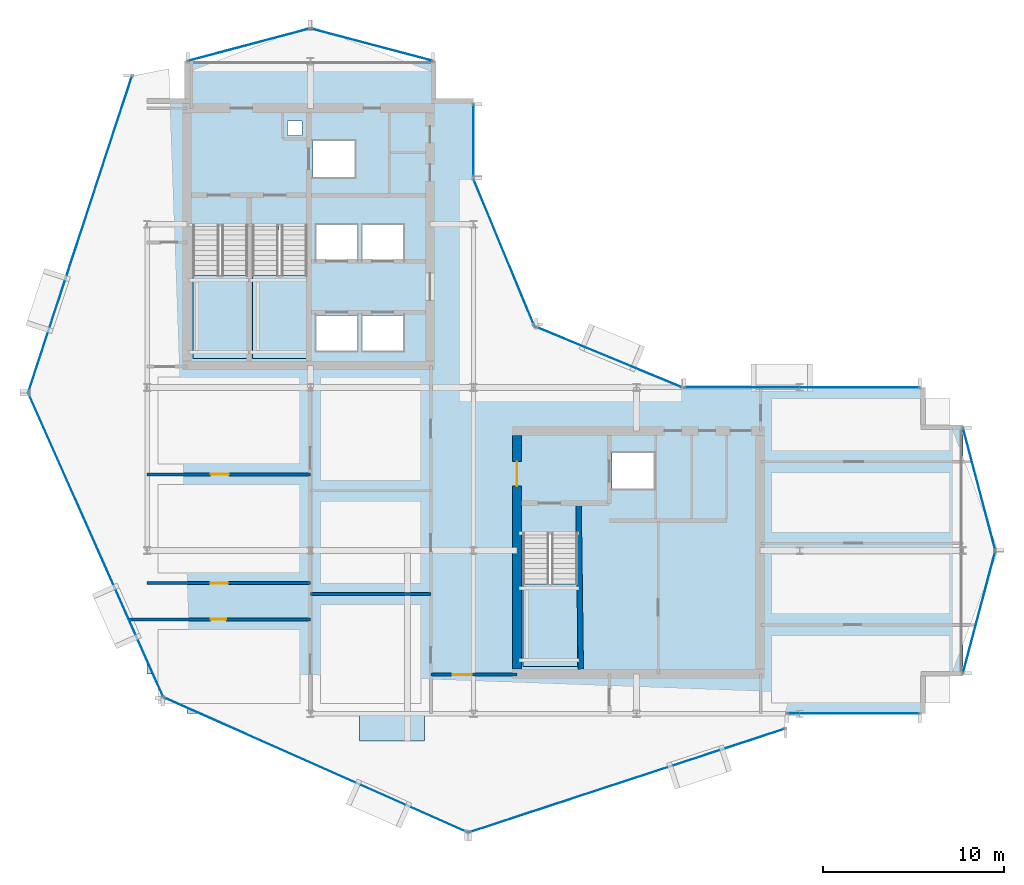
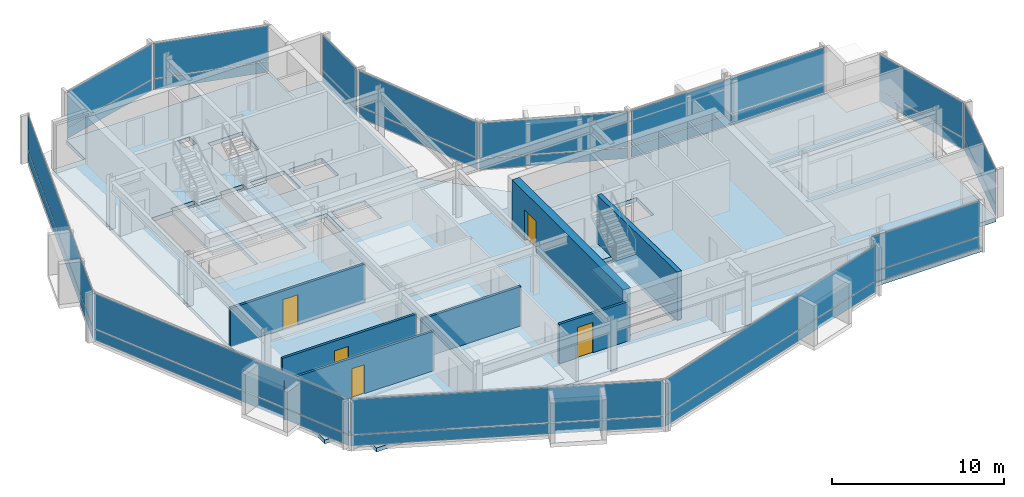
# One storey, part 19 of 28: 26 plates, 7 walls, 5 doors, 5 slabs, 5 openings, 16 elements without a shape of their own.
"""IFC4 building model written with IfcOpenShell, lengths in metres."""

from ifc_helpers import new_model, si_unit, direction, frame, frame_2d, origin, origin_2d, place, context, subcontext, project, spatial, polyline, rectangle, outline, extrude, material, layer, layer_set, type_object, element, fill, aggregate, save


model = new_model("IFC4")

# Units and contexts
model_context = context("Model", 3, precision=1e-05, world=origin(), true_north=direction((0.0, 1.0)))
body_context = subcontext(model_context, "Body", "Model", "MODEL_VIEW")
ifc_project = project(units=[si_unit("LENGTHUNIT", "METRE"), si_unit("AREAUNIT", "SQUARE_METRE"), si_unit("VOLUMEUNIT", "CUBIC_METRE"), si_unit("PLANEANGLEUNIT", "RADIAN"), si_unit("MASSUNIT", "GRAM", prefix="KILO")], contexts=[model_context])

# Site, building, storey
site_placement = place(None, origin())
site = spatial("IfcSite", under=ifc_project, at=site_placement, CompositionType="ELEMENT")
building_placement = place(site_placement, origin())
building = spatial("IfcBuilding", under=site, at=building_placement, Name="Solvaryn Broadcast Tower", CompositionType="ELEMENT")
storey_placement = place(building_placement, frame((0.0, 0.0, 217.300048828125)))
storey = spatial("IfcBuildingStorey", under=building, at=storey_placement, Name="L54", CompositionType="ELEMENT", Elevation=217.300048828125)

# Curtain wall, plates
ifc_material_1 = material(Name="Aluminium and Terracotta Unitised Curtain Wall", Category="masonry")
ifc_layer_1 = layer(ifc_material_1, 0.199951171875)
ifc_layer_set_1 = layer_set([ifc_layer_1], Name="CW-SYS2-LOWMID")
curtain_wall_type = type_object("IfcCurtainWallType", Name="CW-SYS2-LOWMID", PredefinedType="NOTDEFINED", material=ifc_layer_set_1)
curtain_wall_1_placement = place(storey_placement, origin())
curtain_wall_1 = element("IfcCurtainWall", 1, at=curtain_wall_1_placement, inside=storey, type_object=curtain_wall_type, Name="L54 Curtain Wall DR1", PredefinedType="NOTDEFINED")
ifc_material_2 = material(Name="Kiln-Fired Architectural Terracotta Spandrel", Category="masonry")
ifc_layer_2 = layer(ifc_material_2, 0.048095703125)
ifc_layer_set_2 = layer_set([ifc_layer_2], Name="CW-PNL-TERRACOTTA")
plate_type = type_object("IfcPlateType", Name="CW-PNL-TERRACOTTA", PredefinedType="CURTAIN_PANEL", material=ifc_layer_set_2)
plate_1_placement = place(storey_placement, frame((5.298095703125, 35.444091796875, 0.06005859375), z_axis=(0.0, 0.0, 1.0), x_axis=(-0.311558717623, -0.950226902099, 0.0)))
plate_1 = element("IfcPlate", 2, at=plate_1_placement, type_object=plate_type, Name="CWS2 panel 1.1", PredefinedType="CURTAIN_PANEL", context=body_context, shape_type="SweptSolid", body=[
    extrude(rectangle(XDim=18.271484375, YDim=0.028076171875, at=origin_2d()), origin(), (0.0, 0.0, 1.0), 0.760009765625),
])
plate_2_placement = place(storey_placement, frame((5.298095703125, 35.444091796875, 0.8798828125), z_axis=(0.0, 0.0, 1.0), x_axis=(-0.311558717623, -0.950226902099, 0.0)))
plate_2 = element("IfcPlate", 3, at=plate_2_placement, type_object=plate_type, Name="CWS2 panel 1.2", PredefinedType="CURTAIN_PANEL", context=body_context, shape_type="SweptSolid", body=[
    extrude(rectangle(XDim=18.271484375, YDim=0.028076171875, at=origin_2d()), origin(), (0.0, 0.0, 1.0), 2.47998046875),
])
aggregate(curtain_wall_1, [plate_1, plate_2])

curtain_wall_2_placement = place(storey_placement, origin())
curtain_wall_2 = element("IfcCurtainWall", 4, at=curtain_wall_2_placement, inside=storey, type_object=curtain_wall_type, Name="L54 Curtain Wall DR2", PredefinedType="NOTDEFINED")
plate_3_placement = place(storey_placement, frame((6.16552734375, 18.302001953125, 0.06005859375), z_axis=(0.0, 0.0, 1.0), x_axis=(0.405901337237, -0.913916902365, 0.0)))
plate_3 = element("IfcPlate", 5, at=plate_3_placement, type_object=plate_type, Name="CWS2 panel 1.1", PredefinedType="CURTAIN_PANEL", context=body_context, shape_type="SweptSolid", body=[
    extrude(rectangle(XDim=18.271240234375, YDim=0.028076171875, at=origin_2d()), origin(), (0.0, 0.0, 1.0), 0.760009765625),
])
plate_4_placement = place(storey_placement, frame((6.16552734375, 18.302001953125, 0.8798828125), z_axis=(0.0, 0.0, 1.0), x_axis=(0.405901337237, -0.913916902365, 0.0)))
plate_4 = element("IfcPlate", 6, at=plate_4_placement, type_object=plate_type, Name="CWS2 panel 1.2", PredefinedType="CURTAIN_PANEL", context=body_context, shape_type="SweptSolid", body=[
    extrude(rectangle(XDim=18.271240234375, YDim=0.028076171875, at=origin_2d()), origin(), (0.0, 0.0, 1.0), 2.47998046875),
])
aggregate(curtain_wall_2, [plate_3, plate_4])

curtain_wall_3_placement = place(storey_placement, origin())
curtain_wall_3 = element("IfcCurtainWall", 7, at=curtain_wall_3_placement, inside=storey, type_object=curtain_wall_type, Name="L54 Curtain Wall DR3", PredefinedType="NOTDEFINED")
plate_5_placement = place(storey_placement, frame((18.302001953125, 6.16552734375, 0.06005859375), z_axis=(0.0, 0.0, 1.0), x_axis=(0.913916902365, -0.405901337237, 0.0)))
plate_5 = element("IfcPlate", 8, at=plate_5_placement, type_object=plate_type, Name="CWS2 panel 1.1", PredefinedType="CURTAIN_PANEL", context=body_context, shape_type="SweptSolid", body=[
    extrude(rectangle(XDim=18.271240234375, YDim=0.028076171875, at=origin_2d()), origin(), (0.0, 0.0, 1.0), 0.760009765625),
])
plate_6_placement = place(storey_placement, frame((18.302001953125, 6.16552734375, 0.8798828125), z_axis=(0.0, 0.0, 1.0), x_axis=(0.913916902365, -0.405901337237, 0.0)))
plate_6 = element("IfcPlate", 9, at=plate_6_placement, type_object=plate_type, Name="CWS2 panel 1.2", PredefinedType="CURTAIN_PANEL", context=body_context, shape_type="SweptSolid", body=[
    extrude(rectangle(XDim=18.271240234375, YDim=0.028076171875, at=origin_2d()), origin(), (0.0, 0.0, 1.0), 2.47998046875),
])
aggregate(curtain_wall_3, [plate_5, plate_6])

curtain_wall_4_placement = place(storey_placement, origin())
curtain_wall_4 = element("IfcCurtainWall", 10, at=curtain_wall_4_placement, inside=storey, type_object=curtain_wall_type, Name="L54 Curtain Wall DR4", PredefinedType="NOTDEFINED")
plate_7_placement = place(storey_placement, frame((35.444091796875, 5.298095703125, 0.06005859375), z_axis=(0.0, 0.0, 1.0), x_axis=(0.950226902099, 0.311558717623, 0.0)))
plate_7 = element("IfcPlate", 11, at=plate_7_placement, type_object=plate_type, Name="CWS2 panel 1.1", PredefinedType="CURTAIN_PANEL", context=body_context, shape_type="SweptSolid", body=[
    extrude(rectangle(XDim=18.271484375, YDim=0.028076171875, at=origin_2d()), origin(), (0.0, 0.0, 1.0), 0.760009765625),
])
plate_8_placement = place(storey_placement, frame((35.444091796875, 5.298095703125, 0.8798828125), z_axis=(0.0, 0.0, 1.0), x_axis=(0.950226902099, 0.311558717623, 0.0)))
plate_8 = element("IfcPlate", 12, at=plate_8_placement, type_object=plate_type, Name="CWS2 panel 1.2", PredefinedType="CURTAIN_PANEL", context=body_context, shape_type="SweptSolid", body=[
    extrude(rectangle(XDim=18.271484375, YDim=0.028076171875, at=origin_2d()), origin(), (0.0, 0.0, 1.0), 2.47998046875),
])
aggregate(curtain_wall_4, [plate_7, plate_8])

curtain_wall_5_placement = place(storey_placement, origin())
curtain_wall_5 = element("IfcCurtainWall", 13, at=curtain_wall_5_placement, inside=storey, type_object=curtain_wall_type, Name="L54 Curtain Wall IV", PredefinedType="NOTDEFINED")
plate_9_placement = place(storey_placement, frame((27.0, 40.625, 0.06005859375), z_axis=(0.0, 0.0, 1.0), x_axis=(0.0, -1.0, 0.0)))
plate_9 = element("IfcPlate", 14, at=plate_9_placement, type_object=plate_type, Name="CWS2 panel 1.1", PredefinedType="CURTAIN_PANEL", context=body_context, shape_type="SweptSolid", body=[
    extrude(rectangle(XDim=3.929931640625, YDim=0.028076171875, at=origin_2d()), origin(), (0.0, 0.0, 1.0), 0.760009765625),
])
plate_10_placement = place(storey_placement, frame((27.0, 40.625, 0.8798828125), z_axis=(0.0, 0.0, 1.0), x_axis=(0.0, -1.0, 0.0)))
plate_10 = element("IfcPlate", 15, at=plate_10_placement, type_object=plate_type, Name="CWS2 panel 1.2", PredefinedType="CURTAIN_PANEL", context=body_context, shape_type="SweptSolid", body=[
    extrude(rectangle(XDim=3.929931640625, YDim=0.028076171875, at=origin_2d()), origin(), (0.0, 0.0, 1.0), 2.47998046875),
])
aggregate(curtain_wall_5, [plate_9, plate_10])

curtain_wall_6_placement = place(storey_placement, origin())
curtain_wall_6 = element("IfcCurtainWall", 16, at=curtain_wall_6_placement, inside=storey, type_object=curtain_wall_type, Name="L54 Curtain Wall CN1", PredefinedType="NOTDEFINED")
plate_11_placement = place(storey_placement, frame((34.43408203125, 28.68408203125, 0.06005859375), z_axis=(0.0, 0.0, 1.0), x_axis=(-0.923894983957, 0.382646127145, 0.0)))
plate_11 = element("IfcPlate", 17, at=plate_11_placement, type_object=plate_type, Name="CWS2 panel 1.1", PredefinedType="CURTAIN_PANEL", context=body_context, shape_type="SweptSolid", body=[
    extrude(rectangle(XDim=8.681884765625, YDim=0.028076171875, at=origin_2d()), origin(), (0.0, 0.0, 1.0), 0.760009765625),
])
plate_12_placement = place(storey_placement, frame((34.43408203125, 28.68408203125, 0.8798828125), z_axis=(0.0, 0.0, 1.0), x_axis=(-0.923894983957, 0.382646127145, 0.0)))
plate_12 = element("IfcPlate", 18, at=plate_12_placement, type_object=plate_type, Name="CWS2 panel 1.2", PredefinedType="CURTAIN_PANEL", context=body_context, shape_type="SweptSolid", body=[
    extrude(rectangle(XDim=8.681884765625, YDim=0.028076171875, at=origin_2d()), origin(), (0.0, 0.0, 1.0), 2.47998046875),
])
aggregate(curtain_wall_6, [plate_11, plate_12])

curtain_wall_7_placement = place(storey_placement, origin())
curtain_wall_7 = element("IfcCurtainWall", 19, at=curtain_wall_7_placement, inside=storey, type_object=curtain_wall_type, Name="L54 Curtain Wall CN2", PredefinedType="NOTDEFINED")
plate_13_placement = place(storey_placement, frame((28.68408203125, 34.43408203125, 0.06005859375), z_axis=(0.0, 0.0, 1.0), x_axis=(-0.382646127145, 0.923894983957, 0.0)))
plate_13 = element("IfcPlate", 20, at=plate_13_placement, type_object=plate_type, Name="CWS2 panel 1.1", PredefinedType="CURTAIN_PANEL", context=body_context, shape_type="SweptSolid", body=[
    extrude(rectangle(XDim=8.681884765625, YDim=0.028076171875, at=origin_2d()), origin(), (0.0, 0.0, 1.0), 0.760009765625),
])
plate_14_placement = place(storey_placement, frame((28.68408203125, 34.43408203125, 0.8798828125), z_axis=(0.0, 0.0, 1.0), x_axis=(-0.382646127145, 0.923894983957, 0.0)))
plate_14 = element("IfcPlate", 21, at=plate_14_placement, type_object=plate_type, Name="CWS2 panel 1.2", PredefinedType="CURTAIN_PANEL", context=body_context, shape_type="SweptSolid", body=[
    extrude(rectangle(XDim=8.681884765625, YDim=0.028076171875, at=origin_2d()), origin(), (0.0, 0.0, 1.0), 2.47998046875),
])
aggregate(curtain_wall_7, [plate_13, plate_14])

curtain_wall_8_placement = place(storey_placement, origin())
curtain_wall_8 = element("IfcCurtainWall", 22, at=curtain_wall_8_placement, inside=storey, type_object=curtain_wall_type, Name="L54 Curtain Wall S2", PredefinedType="NOTDEFINED")
plate_15_placement = place(storey_placement, frame((47.966064453125, 9.0, 0.06005859375), z_axis=(0.0, 0.0, 1.0), x_axis=(1.0, 0.0, 0.0)))
plate_15 = element("IfcPlate", 23, at=plate_15_placement, type_object=plate_type, Name="CWS2 panel 1.1", PredefinedType="CURTAIN_PANEL", context=body_context, shape_type="SweptSolid", body=[
    extrude(rectangle(XDim=7.248046875, YDim=0.028076171875, at=origin_2d()), origin(), (0.0, 0.0, 1.0), 0.760009765625),
])
plate_16_placement = place(storey_placement, frame((47.966064453125, 9.0, 0.8798828125), z_axis=(0.0, 0.0, 1.0), x_axis=(1.0, 0.0, 0.0)))
plate_16 = element("IfcPlate", 24, at=plate_16_placement, type_object=plate_type, Name="CWS2 panel 1.2", PredefinedType="CURTAIN_PANEL", context=body_context, shape_type="SweptSolid", body=[
    extrude(rectangle(XDim=7.248046875, YDim=0.028076171875, at=origin_2d()), origin(), (0.0, 0.0, 1.0), 2.47998046875),
])
aggregate(curtain_wall_8, [plate_15, plate_16])

curtain_wall_9_placement = place(storey_placement, origin())
curtain_wall_9 = element("IfcCurtainWall", 25, at=curtain_wall_9_placement, inside=storey, type_object=curtain_wall_type, Name="L54 Curtain Wall NT1", PredefinedType="NOTDEFINED")
plate_17_placement = place(storey_placement, frame((21.39990234375, 45.89990234375, 0.06005859375), z_axis=(0.0, 0.0, 1.0), x_axis=(-0.966705227863, 0.25589256031, 0.0)))
plate_17 = element("IfcPlate", 26, at=plate_17_placement, type_object=plate_type, Name="CWS2 panel 1.1", PredefinedType="CURTAIN_PANEL", context=body_context, shape_type="SweptSolid", body=[
    extrude(rectangle(XDim=6.914306640625, YDim=0.028076171875, at=origin_2d()), origin(), (0.0, 0.0, 1.0), 0.760009765625),
])
plate_18_placement = place(storey_placement, frame((21.39990234375, 45.89990234375, 0.8798828125), z_axis=(0.0, 0.0, 1.0), x_axis=(-0.966705227863, 0.25589256031, 0.0)))
plate_18 = element("IfcPlate", 27, at=plate_18_placement, type_object=plate_type, Name="CWS2 panel 1.2", PredefinedType="CURTAIN_PANEL", context=body_context, shape_type="SweptSolid", body=[
    extrude(rectangle(XDim=6.914306640625, YDim=0.028076171875, at=origin_2d()), origin(), (0.0, 0.0, 1.0), 2.47998046875),
])
aggregate(curtain_wall_9, [plate_17, plate_18])

curtain_wall_10_placement = place(storey_placement, origin())
curtain_wall_10 = element("IfcCurtainWall", 28, at=curtain_wall_10_placement, inside=storey, type_object=curtain_wall_type, Name="L54 Curtain Wall NT2", PredefinedType="NOTDEFINED")
plate_19_placement = place(storey_placement, frame((14.60009765625, 45.89990234375, 0.06005859375), z_axis=(0.0, 0.0, 1.0), x_axis=(-0.966705227863, -0.25589256031, 0.0)))
plate_19 = element("IfcPlate", 29, at=plate_19_placement, type_object=plate_type, Name="CWS2 panel 1.1", PredefinedType="CURTAIN_PANEL", context=body_context, shape_type="SweptSolid", body=[
    extrude(rectangle(XDim=6.914306640625, YDim=0.028076171875, at=origin_2d()), origin(), (0.0, 0.0, 1.0), 0.760009765625),
])
plate_20_placement = place(storey_placement, frame((14.60009765625, 45.89990234375, 0.8798828125), z_axis=(0.0, 0.0, 1.0), x_axis=(-0.966705227863, -0.25589256031, 0.0)))
plate_20 = element("IfcPlate", 30, at=plate_20_placement, type_object=plate_type, Name="CWS2 panel 1.2", PredefinedType="CURTAIN_PANEL", context=body_context, shape_type="SweptSolid", body=[
    extrude(rectangle(XDim=6.914306640625, YDim=0.028076171875, at=origin_2d()), origin(), (0.0, 0.0, 1.0), 2.47998046875),
])
aggregate(curtain_wall_10, [plate_19, plate_20])

curtain_wall_11_placement = place(storey_placement, origin())
curtain_wall_11 = element("IfcCurtainWall", 31, at=curtain_wall_11_placement, inside=storey, type_object=curtain_wall_type, Name="L54 Curtain Wall ET1", PredefinedType="NOTDEFINED")
plate_21_placement = place(storey_placement, frame((54.89990234375, 21.39990234375, 0.06005859375), z_axis=(0.0, 0.0, 1.0), x_axis=(0.25589256031, -0.966705227863, 0.0)))
plate_21 = element("IfcPlate", 32, at=plate_21_placement, type_object=plate_type, Name="CWS2 panel 1.1", PredefinedType="CURTAIN_PANEL", context=body_context, shape_type="SweptSolid", body=[
    extrude(rectangle(XDim=6.914306640625, YDim=0.028076171875, at=origin_2d()), origin(), (0.0, 0.0, 1.0), 0.760009765625),
])
plate_22_placement = place(storey_placement, frame((54.89990234375, 21.39990234375, 0.8798828125), z_axis=(0.0, 0.0, 1.0), x_axis=(0.25589256031, -0.966705227863, 0.0)))
plate_22 = element("IfcPlate", 33, at=plate_22_placement, type_object=plate_type, Name="CWS2 panel 1.2", PredefinedType="CURTAIN_PANEL", context=body_context, shape_type="SweptSolid", body=[
    extrude(rectangle(XDim=6.914306640625, YDim=0.028076171875, at=origin_2d()), origin(), (0.0, 0.0, 1.0), 2.47998046875),
])
aggregate(curtain_wall_11, [plate_21, plate_22])

curtain_wall_12_placement = place(storey_placement, origin())
curtain_wall_12 = element("IfcCurtainWall", 34, at=curtain_wall_12_placement, inside=storey, type_object=curtain_wall_type, Name="L54 Curtain Wall ET2", PredefinedType="NOTDEFINED")
plate_23_placement = place(storey_placement, frame((54.89990234375, 14.60009765625, 0.06005859375), z_axis=(0.0, 0.0, 1.0), x_axis=(-0.25589256031, -0.966705227863, 0.0)))
plate_23 = element("IfcPlate", 35, at=plate_23_placement, type_object=plate_type, Name="CWS2 panel 1.1", PredefinedType="CURTAIN_PANEL", context=body_context, shape_type="SweptSolid", body=[
    extrude(rectangle(XDim=6.914306640625, YDim=0.028076171875, at=origin_2d()), origin(), (0.0, 0.0, 1.0), 0.760009765625),
])
plate_24_placement = place(storey_placement, frame((54.89990234375, 14.60009765625, 0.8798828125), z_axis=(0.0, 0.0, 1.0), x_axis=(-0.25589256031, -0.966705227863, 0.0)))
plate_24 = element("IfcPlate", 36, at=plate_24_placement, type_object=plate_type, Name="CWS2 panel 1.2", PredefinedType="CURTAIN_PANEL", context=body_context, shape_type="SweptSolid", body=[
    extrude(rectangle(XDim=6.914306640625, YDim=0.028076171875, at=origin_2d()), origin(), (0.0, 0.0, 1.0), 2.47998046875),
])
aggregate(curtain_wall_12, [plate_23, plate_24])

curtain_wall_13_placement = place(storey_placement, origin())
curtain_wall_13 = element("IfcCurtainWall", 37, at=curtain_wall_13_placement, inside=storey, type_object=curtain_wall_type, Name="L54 Curtain Wall IH", PredefinedType="NOTDEFINED")
plate_25_placement = place(storey_placement, frame((45.125, 27.0, 0.06005859375), z_axis=(0.0, 0.0, 1.0), x_axis=(1.0, 0.0, 0.0)))
plate_25 = element("IfcPlate", 38, at=plate_25_placement, type_object=plate_type, Name="CWS2 panel 1.1", PredefinedType="CURTAIN_PANEL", context=body_context, shape_type="SweptSolid", body=[
    extrude(rectangle(XDim=12.929931640625, YDim=0.028076171875, at=origin_2d()), origin(), (0.0, 0.0, 1.0), 0.760009765625),
])
plate_26_placement = place(storey_placement, frame((45.125, 27.0, 0.8798828125), z_axis=(0.0, 0.0, 1.0), x_axis=(1.0, 0.0, 0.0)))
plate_26 = element("IfcPlate", 39, at=plate_26_placement, type_object=plate_type, Name="CWS2 panel 1.2", PredefinedType="CURTAIN_PANEL", context=body_context, shape_type="SweptSolid", body=[
    extrude(rectangle(XDim=12.929931640625, YDim=0.028076171875, at=origin_2d()), origin(), (0.0, 0.0, 1.0), 2.47998046875),
])
aggregate(curtain_wall_13, [plate_25, plate_26])

# Slab
ifc_material_3 = material(Name="Concrete f'c 60 MPa", Category="concrete")
ifc_layer_3 = layer(ifc_material_3, 0.2099609375)
ifc_layer_set_3 = layer_set([ifc_layer_3], Name="SL-BAYBOX-210")
slab_type_1 = type_object("IfcSlabType", Name="SL-BAYBOX-210", PredefinedType="FLOOR", material=ifc_layer_set_3)
slab_1_placement = place(storey_placement, frame((0.0, 0.0, -0.2099609375)))
element("IfcSlab", 40, at=slab_1_placement, inside=storey, type_object=slab_type_1, Name="L54 Projecting Bay-Box Slab 1", PredefinedType="FLOOR", context=body_context, shape_type="SweptSolid", body=[
    extrude(outline(polyline([(20.699951171875, 7.5), (24.300048828125, 7.5), (24.300048828125, 9.0), (20.699951171875, 9.0), (20.699951171875, 7.5)])), origin(), (0.0, 0.0, 1.0), 0.2099609375),
])

# Stair, slab
ifc_material_4 = material(Name="Concrete f'c 60 MPa", Category="concrete")
stair_type = type_object("IfcStairType", Name="ST-CORE", PredefinedType="HALF_TURN_STAIR", material=ifc_material_4)
stair_1_placement = place(storey_placement, origin())
stair_1 = element("IfcStair", 41, at=stair_1_placement, inside=storey, type_object=stair_type, Name="L54 ST1", PredefinedType="HALF_TURN_STAIR")
ifc_material_5 = material(Name="Concrete f'c 60 MPa", Category="concrete")
ifc_layer_4 = layer(ifc_material_5, 0.199951171875)
ifc_layer_set_4 = layer_set([ifc_layer_4], Name="SL-LANDING-200")
slab_type_2 = type_object("IfcSlabType", Name="SL-LANDING-200", PredefinedType="LANDING", material=ifc_layer_set_4)
slab_2_placement = place(storey_placement, frame((0.0, 0.0, 1.64990234375)))
slab_2 = element("IfcSlab", 42, at=slab_2_placement, type_object=slab_type_2, Name="ST1 landing 1", PredefinedType="LANDING", context=body_context, shape_type="SweptSolid", body=[
    extrude(outline(polyline([(11.52001953125, 33.159912109375), (11.52001953125, 28.60009765625), (14.550048828125, 28.60009765625), (14.550048828125, 33.159912109375), (11.52001953125, 33.159912109375)])), origin(), (0.0, 0.0, 1.0), 0.199951171875),
])
aggregate(stair_1, [slab_2])

stair_2_placement = place(storey_placement, origin())
stair_2 = element("IfcStair", 43, at=stair_2_placement, inside=storey, type_object=stair_type, Name="L54 ST2", PredefinedType="HALF_TURN_STAIR")
slab_3_placement = place(storey_placement, frame((0.0, 0.0, 1.64990234375)))
slab_3 = element("IfcSlab", 44, at=slab_3_placement, type_object=slab_type_2, Name="ST2 landing 1", PredefinedType="LANDING", context=body_context, shape_type="SweptSolid", body=[
    extrude(outline(polyline([(14.800048828125, 33.159912109375), (14.800048828125, 28.60009765625), (17.830078125, 28.60009765625), (17.830078125, 33.159912109375), (14.800048828125, 33.159912109375)])), origin(), (0.0, 0.0, 1.0), 0.199951171875),
])
aggregate(stair_2, [slab_3])

stair_3_placement = place(storey_placement, origin())
stair_3 = element("IfcStair", 45, at=stair_3_placement, inside=storey, type_object=stair_type, Name="L54 ST3", PredefinedType="HALF_TURN_STAIR")
slab_4_placement = place(storey_placement, frame((0.0, 0.0, 1.64990234375)))
slab_4 = element("IfcSlab", 46, at=slab_4_placement, type_object=slab_type_2, Name="ST3 landing 1", PredefinedType="LANDING", context=body_context, shape_type="SweptSolid", body=[
    extrude(outline(polyline([(29.719970703125, 16.159912109375), (29.719970703125, 11.60009765625), (32.75, 11.60009765625), (32.75, 16.159912109375), (29.719970703125, 16.159912109375)])), origin(), (0.0, 0.0, 1.0), 0.199951171875),
])
aggregate(stair_3, [slab_4])

# Slab
ifc_material_6 = material(Name="Concrete f'c 60 MPa", Category="concrete")
ifc_layer_5 = layer(ifc_material_6, 0.280029296875)
ifc_layer_set_5 = layer_set([ifc_layer_5], Name="SL-TWR-280")
slab_type_3 = type_object("IfcSlabType", Name="SL-TWR-280", PredefinedType="FLOOR", material=ifc_layer_set_5)
slab_5_placement = place(storey_placement, frame((0.0, 0.0, -0.280029296875)))
element("IfcSlab", 47, at=slab_5_placement, inside=storey, type_object=slab_type_3, Name="L54 Structural Floor Slab", PredefinedType="FLOOR", context=body_context, shape_type="SweptSolid", body=[
    extrude(outline(polyline([(11.199951171875, 9.0), (51.800048828125, 9.0), (51.800048828125, 11.199951171875), (54.0, 11.199951171875), (54.0, 24.800048828125), (51.800048828125, 24.800048828125), (51.800048828125, 27.0), (31.5, 27.0), (27.0, 31.5), (27.0, 42.800048828125), (24.800048828125, 42.800048828125), (24.800048828125, 45.0), (11.199951171875, 45.0), (11.199951171875, 42.800048828125), (9.0, 42.800048828125), (9.0, 11.199951171875), (11.199951171875, 11.199951171875), (11.199951171875, 9.0)]), holes=[polyline([(11.52001953125, 28.60009765625), (14.550048828125, 28.60009765625), (14.550048828125, 35.9599609375), (12.97998046875, 35.9599609375), (12.97998046875, 35.679931640625), (11.52001953125, 35.679931640625), (11.52001953125, 28.60009765625)]), polyline([(14.800048828125, 28.60009765625), (17.830078125, 28.60009765625), (17.830078125, 35.9599609375), (16.260009765625, 35.9599609375), (16.260009765625, 35.679931640625), (14.800048828125, 35.679931640625), (14.800048828125, 28.60009765625)]), polyline([(29.719970703125, 11.60009765625), (32.75, 11.60009765625), (32.75, 18.9599609375), (31.179931640625, 18.9599609375), (31.179931640625, 18.679931640625), (29.719970703125, 18.679931640625), (29.719970703125, 11.60009765625)]), polyline([(18.14990234375, 38.60009765625), (20.449951171875, 38.60009765625), (20.449951171875, 40.60009765625), (18.14990234375, 40.60009765625), (18.14990234375, 38.60009765625)]), polyline([(18.324951171875, 29.02490234375), (20.574951171875, 29.02490234375), (20.574951171875, 30.97509765625), (18.324951171875, 30.97509765625), (18.324951171875, 29.02490234375)]), polyline([(20.875, 29.02490234375), (23.125, 29.02490234375), (23.125, 30.97509765625), (20.875, 30.97509765625), (20.875, 29.02490234375)]), polyline([(18.324951171875, 34.02490234375), (20.574951171875, 34.02490234375), (20.574951171875, 35.97509765625), (18.324951171875, 35.97509765625), (18.324951171875, 34.02490234375)]), polyline([(20.875, 34.02490234375), (23.125, 34.02490234375), (23.125, 35.97509765625), (20.875, 35.97509765625), (20.875, 34.02490234375)]), polyline([(34.64990234375, 21.39990234375), (36.949951171875, 21.39990234375), (36.949951171875, 23.39990234375), (34.64990234375, 23.39990234375), (34.64990234375, 21.39990234375)]), polyline([(16.75, 40.89990234375), (17.550048828125, 40.89990234375), (17.550048828125, 41.699951171875), (16.75, 41.699951171875), (16.75, 40.89990234375)])]), origin(), (0.0, 0.0, 1.0), 0.280029296875),
])

# Wall, opening, door
ifc_material_7 = material(Name="Concrete f'c 70 MPa", Category="concrete")
ifc_layer_6 = layer(ifc_material_7, 0.5)
ifc_layer_set_6 = layer_set([ifc_layer_6], Name="CW-SHEAR-500")
wall_type_1 = type_object("IfcWallType", Name="CW-SHEAR-500", PredefinedType="SHEAR", material=ifc_layer_set_6)
wall_1_placement = place(storey_placement, frame((29.39990234375, 24.35009765625, 0.0), z_axis=(0.0, 0.0, 1.0), x_axis=(0.0, -1.0, 0.0)))
wall_1 = element("IfcWall", 48, at=wall_1_placement, inside=storey, type_object=wall_type_1, Name="L54 East Core West Shear Wall", PredefinedType="SHEAR", context=body_context, shape_type="SweptSolid", body=[
    extrude(rectangle(XDim=12.900146484375, YDim=0.5, at=frame_2d((6.4501953125, 0.0))), origin(), (0.0, 0.0, 1.0), 3.419921875),
])
opening_1_placement = place(wall_1_placement, frame((1.449951171875, 0.0, 0.0)))
opening_1 = element("IfcOpeningElement", 49, at=opening_1_placement, cuts=wall_1, Name="Opening FD90B", PredefinedType="OPENING", context=body_context, shape_type="SweptSolid", body=[
    extrude(rectangle(XDim=1.35009765625, YDim=2.14990234375, at=frame_2d((0.675048828125, 1.074951171875))), frame((0.0, 0.260009765625, 0.0), z_axis=(0.0, -1.0, 0.0), x_axis=(1.0, 0.0, 0.0)), (0.0, 0.0, 1.0), 0.52001953125),
])
ifc_material_8 = material(Name="Flush Acoustic Steel and Timber Door Assembly", Category="steel")
door_type_1 = type_object("IfcDoorType", Name="FD90-LOBBY-1350X2150", OperationType="NOTDEFINED", PredefinedType="DOOR", material=ifc_material_8)
door_1_placement = place(opening_1_placement, origin())
door_1 = element("IfcDoor", 50, at=door_1_placement, inside=storey, type_object=door_type_1, Name="L54 East FSAE Lobby Door", OperationType="SINGLE_SWING_RIGHT", OverallHeight=2.14990234375, OverallWidth=1.35009765625, PredefinedType="DOOR", context=body_context, shape_type="SweptSolid", body=[
    extrude(rectangle(XDim=1.35009765625, YDim=2.14990234375, at=frame_2d((0.675048828125, 1.074951171875))), frame((0.0, 0.02490234375, 0.0), z_axis=(0.0, -1.0, 0.0), x_axis=(1.0, 0.0, 0.0)), (0.0, 0.0, 1.0), 0.050048828125),
])
fill(opening_1, door_1)

# Wall
ifc_material_9 = material(Name="Metal-Stud Gypsum Office Partition")
ifc_layer_7 = layer(ifc_material_9, 0.159912109375)
ifc_layer_set_7 = layer_set([ifc_layer_7], Name="IW-PART-160")
wall_type_2 = type_object("IfcWallType", Name="IW-PART-160", PredefinedType="PARTITIONING", material=ifc_layer_set_7)
wall_2_placement = place(storey_placement, frame((18.0, 15.60009765625, 0.0), z_axis=(0.0, 0.0, 1.0), x_axis=(1.0, 0.0, 0.0)))
element("IfcWall", 51, at=wall_2_placement, inside=storey, type_object=wall_type_2, Name="L54 Interior Partition IW-L54-SWE-H1", PredefinedType="PARTITIONING", context=body_context, shape_type="SweptSolid", body=[
    extrude(rectangle(XDim=6.64990234375, YDim=0.159912109375, at=frame_2d((3.324951171875, 0.0))), origin(), (0.0, 0.0, 1.0), 2.7890625),
])

# Wall, opening, door
wall_3_placement = place(storey_placement, frame((7.987060546875, 14.199951171875, 0.0), z_axis=(0.0, 0.0, 1.0), x_axis=(1.0, 0.0, 0.0)))
wall_3 = element("IfcWall", 52, at=wall_3_placement, inside=storey, type_object=wall_type_2, Name="L54 Interior Partition IW-L54-SWW-H1", PredefinedType="PARTITIONING", context=body_context, shape_type="SweptSolid", body=[
    extrude(rectangle(XDim=10.012939453125, YDim=0.159912109375, at=frame_2d((5.00634765625, 0.0))), origin(), (0.0, 0.0, 1.0), 2.7919921875),
])
opening_2_placement = place(wall_3_placement, frame((4.512939453125, 0.0, 0.0)))
opening_2 = element("IfcOpeningElement", 53, at=opening_2_placement, cuts=wall_3, Name="Opening ID07", PredefinedType="OPENING", context=body_context, shape_type="SweptSolid", body=[
    extrude(rectangle(XDim=0.860107421875, YDim=2.050048828125, at=frame_2d((0.43017578125, 1.02490234375))), frame((0.0, 0.090087890625, 0.0), z_axis=(0.0, -1.0, 0.0), x_axis=(1.0, 0.0, 0.0)), (0.0, 0.0, 1.0), 0.179931640625),
])
ifc_material_10 = material(Name="Flush Acoustic Steel and Timber Door Assembly", Category="steel")
door_type_2 = type_object("IfcDoorType", Name="ID-07-860X2050", OperationType="NOTDEFINED", PredefinedType="DOOR", material=ifc_material_10)
door_2_placement = place(opening_2_placement, origin())
door_2 = element("IfcDoor", 54, at=door_2_placement, inside=storey, type_object=door_type_2, Name="L54 Door DR-L54-SWW-1", OperationType="SINGLE_SWING_LEFT", OverallHeight=2.050048828125, OverallWidth=0.860107421875, PredefinedType="DOOR", context=body_context, shape_type="SweptSolid", body=[
    extrude(rectangle(XDim=0.860107421875, YDim=2.050048828125, at=frame_2d((0.43017578125, 1.02490234375))), frame((0.0, 0.02490234375, 0.0), z_axis=(0.0, -1.0, 0.0), x_axis=(1.0, 0.0, 0.0)), (0.0, 0.0, 1.0), 0.050048828125),
])
fill(opening_2, door_2)

wall_4_placement = place(storey_placement, frame((9.0, 16.199951171875, 0.0), z_axis=(0.0, 0.0, 1.0), x_axis=(1.0, 0.0, 0.0)))
wall_4 = element("IfcWall", 55, at=wall_4_placement, inside=storey, type_object=wall_type_2, Name="L54 Interior Partition IW-L54-SWW-H2", PredefinedType="PARTITIONING", context=body_context, shape_type="SweptSolid", body=[
    extrude(rectangle(XDim=9.0, YDim=0.159912109375, at=frame_2d((4.5, 0.0))), origin(), (0.0, 0.0, 1.0), 2.7919921875),
])
opening_3_placement = place(wall_4_placement, frame((3.5, 0.0, 0.0)))
opening_3 = element("IfcOpeningElement", 56, at=opening_3_placement, cuts=wall_4, Name="Opening ID01", PredefinedType="OPENING", context=body_context, shape_type="SweptSolid", body=[
    extrude(rectangle(XDim=0.949951171875, YDim=2.10009765625, at=frame_2d((0.47509765625, 1.050048828125))), frame((0.0, 0.090087890625, 0.0), z_axis=(0.0, -1.0, 0.0), x_axis=(1.0, 0.0, 0.0)), (0.0, 0.0, 1.0), 0.179931640625),
])
ifc_material_11 = material(Name="Flush Acoustic Steel and Timber Door Assembly", Category="steel")
door_type_3 = type_object("IfcDoorType", Name="ID-01-950X2100", OperationType="NOTDEFINED", PredefinedType="DOOR", material=ifc_material_11)
door_3_placement = place(opening_3_placement, origin())
door_3 = element("IfcDoor", 57, at=door_3_placement, inside=storey, type_object=door_type_3, Name="L54 Door DR-L54-SWW-2", OperationType="SINGLE_SWING_RIGHT", OverallHeight=2.10009765625, OverallWidth=0.949951171875, PredefinedType="DOOR", context=body_context, shape_type="SweptSolid", body=[
    extrude(rectangle(XDim=0.949951171875, YDim=2.10009765625, at=frame_2d((0.47509765625, 1.050048828125))), frame((0.0, 0.02490234375, 0.0), z_axis=(0.0, -1.0, 0.0), x_axis=(1.0, 0.0, 0.0)), (0.0, 0.0, 1.0), 0.050048828125),
])
fill(opening_3, door_3)

wall_5_placement = place(storey_placement, frame((9.0, 22.199951171875, 0.0), z_axis=(0.0, 0.0, 1.0), x_axis=(1.0, 0.0, 0.0)))
wall_5 = element("IfcWall", 58, at=wall_5_placement, inside=storey, type_object=wall_type_2, Name="L54 Interior Partition IW-L54-SWW-H3", PredefinedType="PARTITIONING", context=body_context, shape_type="SweptSolid", body=[
    extrude(rectangle(XDim=9.0, YDim=0.159912109375, at=frame_2d((4.5, 0.0))), origin(), (0.0, 0.0, 1.0), 2.70703125),
])
opening_4_placement = place(wall_5_placement, frame((3.5, 0.0, 0.0)))
opening_4 = element("IfcOpeningElement", 59, at=opening_4_placement, cuts=wall_5, Name="Opening ID02", PredefinedType="OPENING", context=body_context, shape_type="SweptSolid", body=[
    extrude(rectangle(XDim=1.0, YDim=2.10009765625, at=frame_2d((0.5, 1.050048828125))), frame((0.0, 0.090087890625, 0.0), z_axis=(0.0, -1.0, 0.0), x_axis=(1.0, 0.0, 0.0)), (0.0, 0.0, 1.0), 0.179931640625),
])
ifc_material_12 = material(Name="Flush Acoustic Steel and Timber Door Assembly", Category="steel")
door_type_4 = type_object("IfcDoorType", Name="ID-02-1000X2100", OperationType="NOTDEFINED", PredefinedType="DOOR", material=ifc_material_12)
door_4_placement = place(opening_4_placement, origin())
door_4 = element("IfcDoor", 60, at=door_4_placement, inside=storey, type_object=door_type_4, Name="L54 Door DR-L54-SWW-3", OperationType="SINGLE_SWING_LEFT", OverallHeight=2.10009765625, OverallWidth=1.0, PredefinedType="DOOR", context=body_context, shape_type="SweptSolid", body=[
    extrude(rectangle(XDim=1.0, YDim=2.10009765625, at=frame_2d((0.5, 1.050048828125))), frame((0.0, 0.02490234375, 0.0), z_axis=(0.0, -1.0, 0.0), x_axis=(1.0, 0.0, 0.0)), (0.0, 0.0, 1.0), 0.050048828125),
])
fill(opening_4, door_4)

wall_6_placement = place(storey_placement, frame((24.64990234375, 11.14990234375, 0.0), z_axis=(0.0, 0.0, 1.0), x_axis=(1.0, 0.0, 0.0)))
wall_6 = element("IfcWall", 61, at=wall_6_placement, inside=storey, type_object=wall_type_2, Name="L54 Interior Partition IW-L54-SC-N", PredefinedType="PARTITIONING", context=body_context, shape_type="SweptSolid", body=[
    extrude(rectangle(XDim=4.75, YDim=0.159912109375, at=frame_2d((2.375, 0.0))), origin(), (0.0, 0.0, 1.0), 2.7919921875),
])
opening_5_placement = place(wall_6_placement, frame((1.199951171875, 0.0, 0.0)))
opening_5 = element("IfcOpeningElement", 62, at=opening_5_placement, cuts=wall_6, Name="Opening ID03", PredefinedType="OPENING", context=body_context, shape_type="SweptSolid", body=[
    extrude(rectangle(XDim=1.050048828125, YDim=2.14990234375, at=frame_2d((0.52490234375, 1.074951171875))), frame((0.0, 0.090087890625, 0.0), z_axis=(0.0, -1.0, 0.0), x_axis=(1.0, 0.0, 0.0)), (0.0, 0.0, 1.0), 0.179931640625),
])
ifc_material_13 = material(Name="Flush Acoustic Steel and Timber Door Assembly", Category="steel")
door_type_5 = type_object("IfcDoorType", Name="ID-03-1050X2150", OperationType="NOTDEFINED", PredefinedType="DOOR", material=ifc_material_13)
door_5_placement = place(opening_5_placement, origin())
door_5 = element("IfcDoor", 63, at=door_5_placement, inside=storey, type_object=door_type_5, Name="L54 Door DR-L54-SC0", OperationType="SINGLE_SWING_RIGHT", OverallHeight=2.14990234375, OverallWidth=1.050048828125, PredefinedType="DOOR", context=body_context, shape_type="SweptSolid", body=[
    extrude(rectangle(XDim=1.050048828125, YDim=2.14990234375, at=frame_2d((0.52490234375, 1.074951171875))), frame((0.0, 0.02490234375, 0.0), z_axis=(0.0, -1.0, 0.0), x_axis=(1.0, 0.0, 0.0)), (0.0, 0.0, 1.0), 0.050048828125),
])
fill(opening_5, door_5)

# Wall
ifc_material_14 = material(Name="Concrete f'c 70 MPa", Category="concrete")
ifc_layer_8 = layer(ifc_material_14, 0.300048828125)
ifc_layer_set_8 = layer_set([ifc_layer_8], Name="SW-SHAFT-300")
wall_type_3 = type_object("IfcWallType", Name="SW-SHAFT-300", PredefinedType="SHEAR", material=ifc_layer_set_8)
wall_7_placement = place(storey_placement, frame((32.919921875, 11.449951171875, 0.0), z_axis=(0.0, 0.0, 1.0), x_axis=(-0.013171578211, 0.999913251001, 0.0)))
element("IfcWall", 64, at=wall_7_placement, inside=storey, type_object=wall_type_3, Name="L54 Stair 3 East Shear Wall", PredefinedType="SHEAR", context=body_context, shape_type="SweptSolid", body=[
    extrude(rectangle(XDim=9.100830078125, YDim=0.300048828125, at=frame_2d((4.55029296875, 0.0))), origin(), (0.0, 0.0, 1.0), 3.419921875),
])

save(model, "model.ifc")
